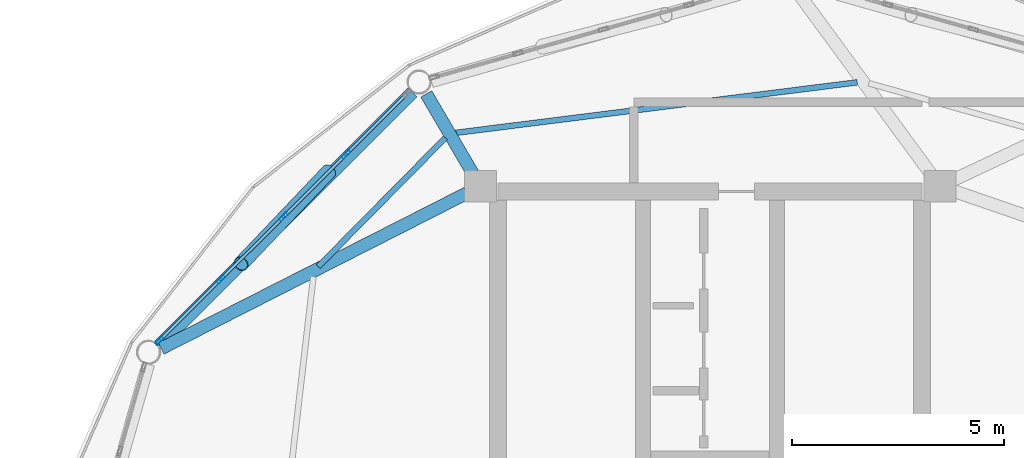
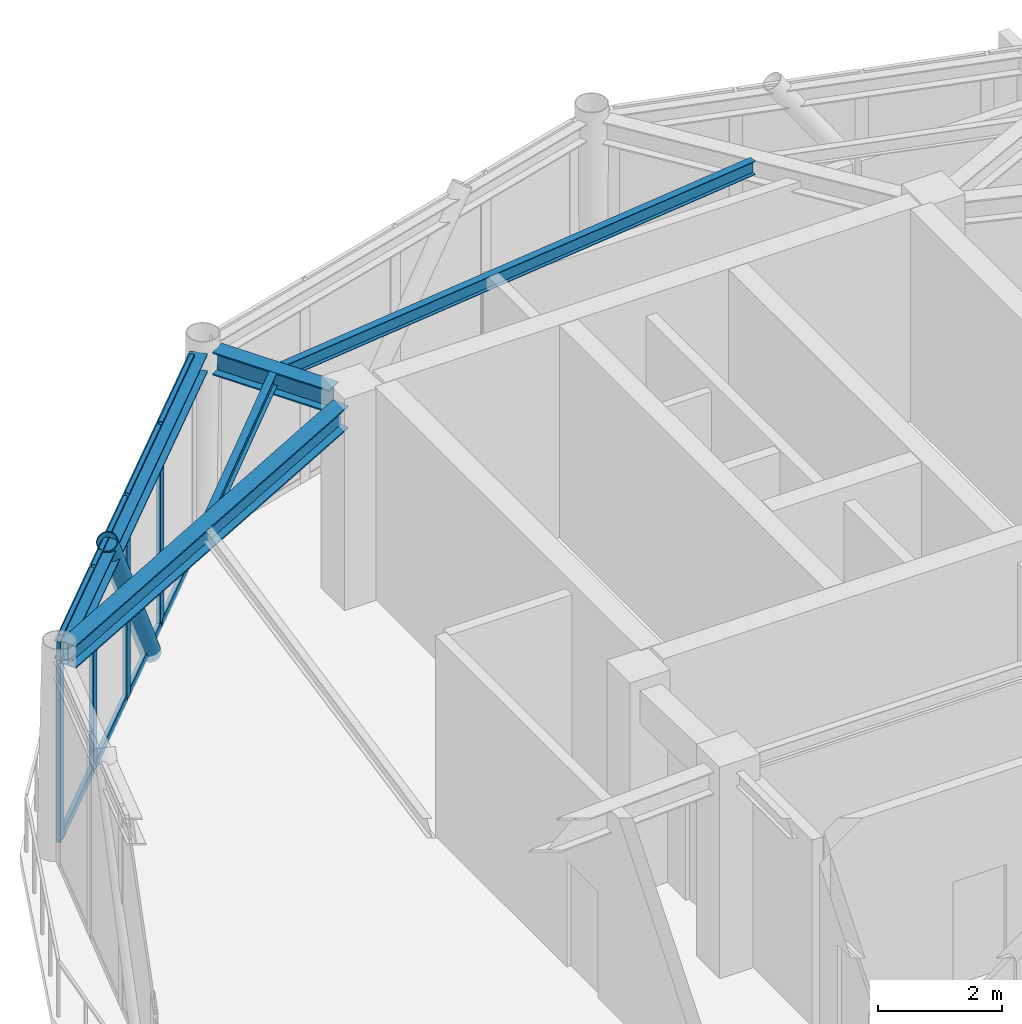
# One storey, part 10 of 21: 13 members, 5 beams, 1 element without a shape of its own.
"""IFC4 building model written with IfcOpenShell, lengths in metres."""

from ifc_helpers import new_model, si_unit, direction, frame, origin, origin_2d, place, context, subcontext, project, spatial, hollow_rectangle, hollow_circle, i_section, extrude, material, layer, layer_set, material_profile, profile_set, type_object, element, aggregate, save


model = new_model("IFC4")

# Units and contexts
model_context = context("Model", 3, precision=1e-05, world=origin(), true_north=direction((0.0, 1.0)))
body_context = subcontext(model_context, "Body", "Model", "MODEL_VIEW")
ifc_project = project(units=[si_unit("LENGTHUNIT", "METRE"), si_unit("AREAUNIT", "SQUARE_METRE"), si_unit("VOLUMEUNIT", "CUBIC_METRE"), si_unit("PLANEANGLEUNIT", "RADIAN"), si_unit("MASSUNIT", "GRAM", prefix="KILO")], contexts=[model_context])

# Site, building, storey
site_placement = place(None, origin())
site = spatial("IfcSite", under=ifc_project, at=site_placement, CompositionType="ELEMENT")
building_placement = place(site_placement, origin())
building = spatial("IfcBuilding", under=site, at=building_placement, Name="Varnakorn Sky Granary", CompositionType="ELEMENT")
storey_placement = place(building_placement, frame((0.0, 0.0, 298.199951171875)))
storey = spatial("IfcBuildingStorey", under=building, at=storey_placement, Name="L76", CompositionType="ELEMENT", Elevation=298.199951171875)

# Beams
ifc_material_1 = material(Name="Steel S355JR", Category="steel")
ifc_material_profile_1 = material_profile(ifc_material_1, i_section(OverallWidth=0.300048828125, OverallDepth=0.449951171875, WebThickness=0.013916015625, FlangeThickness=0.02587890625, at=origin_2d()), Name="HE 450 B")
ifc_profile_set_1 = profile_set([ifc_material_profile_1], Name="Steel S355JR")
beam_type_1 = type_object("IfcBeamType", Name="BM-RAD-Z5", PredefinedType="BEAM", material=ifc_profile_set_1)
beam_1_placement = place(storey_placement, frame((-2.599365234375, 12.92626953125, 3.735107421875), z_axis=(-0.505263030074, 0.862965393536, 0.0), x_axis=(-0.862965393536, -0.505263030074, 0.0)))
element("IfcBeam", 1, at=beam_1_placement, inside=storey, type_object=beam_type_1, Name="Radial Floor Girder RG05 L76", PredefinedType="BEAM", context=body_context, shape_type="SweptSolid", body=[
    extrude(i_section(OverallWidth=0.300048828125, OverallDepth=0.449951171875, WebThickness=0.013916015625, FlangeThickness=0.02587890625, at=origin_2d()), origin(), (0.0, 0.0, 1.0), 2.1689453125),
])
beam_2_placement = place(storey_placement, frame((-2.736572265625, 12.459228515625, 3.735107421875), z_axis=(-0.89150437168, -0.453012091755, 0.0), x_axis=(0.453012091755, -0.89150437168, 0.0)))
element("IfcBeam", 2, at=beam_2_placement, inside=storey, type_object=beam_type_1, Name="Radial Floor Girder RG06 L76", PredefinedType="BEAM", context=body_context, shape_type="SweptSolid", body=[
    extrude(i_section(OverallWidth=0.300048828125, OverallDepth=0.449951171875, WebThickness=0.013916015625, FlangeThickness=0.02587890625, at=origin_2d()), origin(), (0.0, 0.0, 1.0), 8.087646484375),
])
ifc_material_profile_2 = material_profile(ifc_material_1, i_section(OverallWidth=0.135009765625, OverallDepth=0.27001953125, WebThickness=0.006591796875, FlangeThickness=0.01025390625, at=origin_2d()), Name="IPE 270")
ifc_profile_set_2 = profile_set([ifc_material_profile_2], Name="Steel S355JR")
beam_type_2 = type_object("IfcBeamType", Name="BM-SEC-Z5", PredefinedType="BEAM", material=ifc_profile_set_2)
beam_3_placement = place(storey_placement, frame((6.46923828125, 15.072021484375, 3.824951171875), z_axis=(-0.992178870222, -0.124824234362, 0.0), x_axis=(0.124824234362, -0.992178870222, 0.0)))
element("IfcBeam", 3, at=beam_3_placement, inside=storey, type_object=beam_type_2, Name="Secondary Floor Chord Beam MSB04 L76", PredefinedType="BEAM", context=body_context, shape_type="SweptSolid", body=[
    extrude(i_section(OverallWidth=0.135009765625, OverallDepth=0.27001953125, WebThickness=0.006591796875, FlangeThickness=0.01025390625, at=origin_2d()), origin(), (0.0, 0.0, 1.0), 9.552490234375),
])
beam_4_placement = place(storey_placement, frame((-3.245849609375, 13.7626953125, 3.824951171875), z_axis=(-0.702571424447, -0.711613233119, 0.0), x_axis=(0.711613233119, -0.702571424447, 0.0)))
element("IfcBeam", 4, at=beam_4_placement, inside=storey, type_object=beam_type_2, Name="Secondary Floor Chord Beam MSB05 L76", PredefinedType="BEAM", context=body_context, shape_type="SweptSolid", body=[
    extrude(i_section(OverallWidth=0.135009765625, OverallDepth=0.27001953125, WebThickness=0.006591796875, FlangeThickness=0.01025390625, at=origin_2d()), origin(), (0.0, 0.0, 1.0), 4.26611328125),
])
ifc_material_profile_3 = material_profile(ifc_material_1, i_section(OverallWidth=0.300048828125, OverallDepth=0.360107421875, WebThickness=0.012451171875, FlangeThickness=0.0224609375, at=origin_2d()), Name="HE 360 B")
ifc_profile_set_3 = profile_set([ifc_material_profile_3], Name="Steel S355JR")
beam_type_3 = type_object("IfcBeamType", Name="BM-SPD-Z5", PredefinedType="SPANDREL", material=ifc_profile_set_3)
beam_5_placement = place(storey_placement, frame((-4.01611328125, 14.83935546875, 3.780029296875), z_axis=(-0.707251156456, -0.706962376433, 0.0), x_axis=(0.706962376433, -0.707251156456, 0.0)))
element("IfcBeam", 5, at=beam_5_placement, inside=storey, type_object=beam_type_3, Name="Perimeter Spandrel Ring Beam RB05 L76", PredefinedType="SPANDREL", context=body_context, shape_type="SweptSolid", body=[
    extrude(i_section(OverallWidth=0.300048828125, OverallDepth=0.360107421875, WebThickness=0.012451171875, FlangeThickness=0.0224609375, at=origin_2d()), origin(), (0.0, 0.0, 1.0), 8.4541015625),
])

# Curtain wall, members
ifc_material_2 = material(Name="Anodised Bronze Aluminium Alloy 6063-T6", Category="aluminium")
ifc_layer = layer(ifc_material_2, 0.22998046875, Name="Anodised Bronze Aluminium Alloy 6063-T6")
ifc_layer_set = layer_set([ifc_layer], Name="Anodised Bronze Aluminium Alloy 6063-T6")
curtain_wall_type = type_object("IfcCurtainWallType", Name="CW-LNT-1", PredefinedType="USERDEFINED", material=ifc_layer_set)
curtain_wall_placement = place(storey_placement, origin())
curtain_wall = element("IfcCurtainWall", 6, at=curtain_wall_placement, inside=storey, type_object=curtain_wall_type, Name="Unitised Curtain Wall CW7 CW-L76-B05", ObjectType="CURTAIN WALL", PredefinedType="USERDEFINED")
ifc_material_profile_4 = material_profile(ifc_material_2, hollow_rectangle(XDim=0.074951171875, YDim=0.219970703125, WallThickness=0.00390625, at=origin_2d()), Name="ALU MULL 75x220")
ifc_profile_set_4 = profile_set([ifc_material_profile_4], Name="Anodised Bronze Aluminium Alloy 6063-T6")
member_type_1 = type_object("IfcMemberType", Name="CW-LNT-1-MULL", PredefinedType="MULLION", material=ifc_profile_set_4)
member_1_placement = place(storey_placement, frame((-9.990234375, 8.977294921875, 0.0), z_axis=(0.0, 0.0, 1.0), x_axis=(-0.706663262546, 0.707550021813, 0.0)))
member_1 = element("IfcMember", 7, at=member_1_placement, type_object=member_type_1, Name="CW7 mullion 1", PredefinedType="MULLION", context=body_context, shape_type="SweptSolid", body=[
    extrude(hollow_rectangle(XDim=0.074951171875, YDim=0.219970703125, WallThickness=0.00390625, at=origin_2d()), origin(), (0.0, 0.0, 1.0), 3.9599609375),
])
member_2_placement = place(storey_placement, frame((-8.54052734375, 10.42529296875, 0.0), z_axis=(0.0, 0.0, 1.0), x_axis=(-0.706663262546, 0.707550021813, 0.0)))
member_2 = element("IfcMember", 8, at=member_2_placement, type_object=member_type_1, Name="CW7 mullion 2", PredefinedType="MULLION", context=body_context, shape_type="SweptSolid", body=[
    extrude(hollow_rectangle(XDim=0.074951171875, YDim=0.219970703125, WallThickness=0.00390625, at=origin_2d()), origin(), (0.0, 0.0, 1.0), 3.9599609375),
])
member_3_placement = place(storey_placement, frame((-7.064453125, 11.8994140625, 0.0), z_axis=(0.0, 0.0, 1.0), x_axis=(-0.706663262546, 0.707550021813, 0.0)))
member_3 = element("IfcMember", 9, at=member_3_placement, type_object=member_type_1, Name="CW7 mullion 3", PredefinedType="MULLION", context=body_context, shape_type="SweptSolid", body=[
    extrude(hollow_rectangle(XDim=0.074951171875, YDim=0.219970703125, WallThickness=0.00390625, at=origin_2d()), origin(), (0.0, 0.0, 1.0), 3.9599609375),
])
member_4_placement = place(storey_placement, frame((-5.58837890625, 13.373779296875, 0.0), z_axis=(0.0, 0.0, 1.0), x_axis=(-0.706663262546, 0.707550021813, 0.0)))
member_4 = element("IfcMember", 10, at=member_4_placement, type_object=member_type_1, Name="CW7 mullion 4", PredefinedType="MULLION", context=body_context, shape_type="SweptSolid", body=[
    extrude(hollow_rectangle(XDim=0.074951171875, YDim=0.219970703125, WallThickness=0.00390625, at=origin_2d()), origin(), (0.0, 0.0, 1.0), 3.9599609375),
])
ifc_material_profile_5 = material_profile(ifc_material_2, hollow_rectangle(XDim=0.074951171875, YDim=0.159912109375, WallThickness=0.00390625, at=origin_2d()), Name="ALU TRAN 75x160")
ifc_profile_set_5 = profile_set([ifc_material_profile_5], Name="Anodised Bronze Aluminium Alloy 6063-T6")
member_type_2 = type_object("IfcMemberType", Name="CW-LNT-1-TRAN", PredefinedType="USERDEFINED", material=ifc_profile_set_5)
member_5_placement = place(storey_placement, frame((-9.963623046875, 9.00390625, 0.03759765625), z_axis=(0.707539583712, 0.706673713592, 0.0), x_axis=(-0.706673713592, 0.707539583712, 0.0)))
member_5 = element("IfcMember", 11, at=member_5_placement, type_object=member_type_2, Name="CW7 transom 1.1", ObjectType="TRANSOM", PredefinedType="USERDEFINED", context=body_context, shape_type="SweptSolid", body=[
    extrude(hollow_rectangle(XDim=0.074951171875, YDim=0.159912109375, WallThickness=0.00390625, at=origin_2d()), origin(), (0.0, 0.0, 1.0), 1.9736328125),
])
member_6_placement = place(storey_placement, frame((-9.963623046875, 9.00390625, 3.922607421875), z_axis=(0.707539583712, 0.706673713592, 0.0), x_axis=(-0.706673713592, 0.707539583712, 0.0)))
member_6 = element("IfcMember", 12, at=member_6_placement, type_object=member_type_2, Name="CW7 transom 1.2", ObjectType="TRANSOM", PredefinedType="USERDEFINED", context=body_context, shape_type="SweptSolid", body=[
    extrude(hollow_rectangle(XDim=0.074951171875, YDim=0.159912109375, WallThickness=0.00390625, at=origin_2d()), origin(), (0.0, 0.0, 1.0), 1.9736328125),
])
member_7_placement = place(storey_placement, frame((-8.51416015625, 10.45166015625, 0.03759765625), z_axis=(0.707531488049, 0.706681819081, 0.0), x_axis=(-0.706681819081, 0.707531488049, 0.0)))
member_7 = element("IfcMember", 13, at=member_7_placement, type_object=member_type_2, Name="CW7 transom 2.1", ObjectType="TRANSOM", PredefinedType="USERDEFINED", context=body_context, shape_type="SweptSolid", body=[
    extrude(hollow_rectangle(XDim=0.074951171875, YDim=0.159912109375, WallThickness=0.00390625, at=origin_2d()), origin(), (0.0, 0.0, 1.0), 2.011474609375),
])
member_8_placement = place(storey_placement, frame((-8.51416015625, 10.45166015625, 3.922607421875), z_axis=(0.707531488049, 0.706681819081, 0.0), x_axis=(-0.706681819081, 0.707531488049, 0.0)))
member_8 = element("IfcMember", 14, at=member_8_placement, type_object=member_type_2, Name="CW7 transom 2.2", ObjectType="TRANSOM", PredefinedType="USERDEFINED", context=body_context, shape_type="SweptSolid", body=[
    extrude(hollow_rectangle(XDim=0.074951171875, YDim=0.159912109375, WallThickness=0.00390625, at=origin_2d()), origin(), (0.0, 0.0, 1.0), 2.011474609375),
])
member_9_placement = place(storey_placement, frame((-7.037841796875, 11.926025390625, 0.03759765625), z_axis=(0.707592181242, 0.706621047694, 0.0), x_axis=(-0.706621047694, 0.707592181242, 0.0)))
member_9 = element("IfcMember", 15, at=member_9_placement, type_object=member_type_2, Name="CW7 transom 3.1", ObjectType="TRANSOM", PredefinedType="USERDEFINED", context=body_context, shape_type="SweptSolid", body=[
    extrude(hollow_rectangle(XDim=0.074951171875, YDim=0.159912109375, WallThickness=0.00390625, at=origin_2d()), origin(), (0.0, 0.0, 1.0), 2.01123046875),
])
member_10_placement = place(storey_placement, frame((-7.037841796875, 11.926025390625, 3.922607421875), z_axis=(0.707592181242, 0.706621047694, 0.0), x_axis=(-0.706621047694, 0.707592181242, 0.0)))
member_10 = element("IfcMember", 16, at=member_10_placement, type_object=member_type_2, Name="CW7 transom 3.2", ObjectType="TRANSOM", PredefinedType="USERDEFINED", context=body_context, shape_type="SweptSolid", body=[
    extrude(hollow_rectangle(XDim=0.074951171875, YDim=0.159912109375, WallThickness=0.00390625, at=origin_2d()), origin(), (0.0, 0.0, 1.0), 2.01123046875),
])
member_11_placement = place(storey_placement, frame((-5.561767578125, 13.400146484375, 0.03759765625), z_axis=(0.707539583712, 0.706673713592, 0.0), x_axis=(-0.706673713592, 0.707539583712, 0.0)))
member_11 = element("IfcMember", 17, at=member_11_placement, type_object=member_type_2, Name="CW7 transom 4.1", ObjectType="TRANSOM", PredefinedType="USERDEFINED", context=body_context, shape_type="SweptSolid", body=[
    extrude(hollow_rectangle(XDim=0.074951171875, YDim=0.159912109375, WallThickness=0.00390625, at=origin_2d()), origin(), (0.0, 0.0, 1.0), 1.9736328125),
])
member_12_placement = place(storey_placement, frame((-5.561767578125, 13.400146484375, 3.922607421875), z_axis=(0.707539583712, 0.706673713592, 0.0), x_axis=(-0.706673713592, 0.707539583712, 0.0)))
member_12 = element("IfcMember", 18, at=member_12_placement, type_object=member_type_2, Name="CW7 transom 4.2", ObjectType="TRANSOM", PredefinedType="USERDEFINED", context=body_context, shape_type="SweptSolid", body=[
    extrude(hollow_rectangle(XDim=0.074951171875, YDim=0.159912109375, WallThickness=0.00390625, at=origin_2d()), origin(), (0.0, 0.0, 1.0), 1.9736328125),
])
aggregate(curtain_wall, [member_1, member_2, member_3, member_4, member_5, member_6, member_7, member_8, member_9, member_10, member_11, member_12])

# Member
ifc_material_3 = material(Name="Steel S460M", Category="steel")
ifc_material_profile_6 = material_profile(ifc_material_3, hollow_circle(Radius=0.177734375, WallThickness=0.01416015625, at=origin_2d()), Name="CHS 355.6x14")
ifc_profile_set_6 = profile_set([ifc_material_profile_6], Name="Steel S460M")
member_type_3 = type_object("IfcMemberType", Name="MB-DIAG-T5", PredefinedType="BRACE", material=ifc_profile_set_6)
member_13_placement = place(storey_placement, frame((-6.000244140625, 12.96240234375, -0.1298828125), z_axis=(-0.398942624528, -0.419323799291, 0.815482883746), x_axis=(0.724494517572, -0.689280562622, 0.0)))
element("IfcMember", 19, at=member_13_placement, inside=storey, type_object=member_type_3, Name="Perimeter CHS Diagrid Brace DG05 L76", PredefinedType="BRACE", context=body_context, shape_type="SweptSolid", body=[
    extrude(hollow_circle(Radius=0.177734375, WallThickness=0.01416015625, at=origin_2d()), origin(), (0.0, 0.0, 1.0), 5.1748046875),
])

save(model, "model.ifc")
